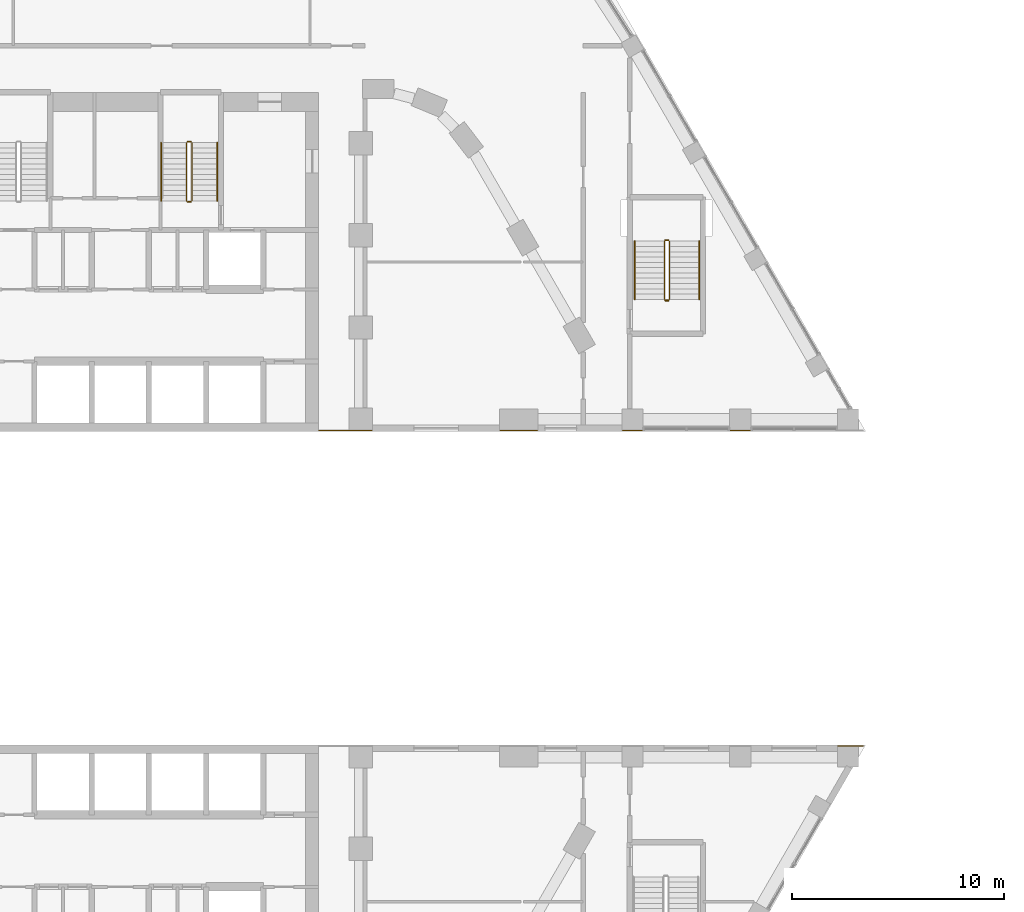
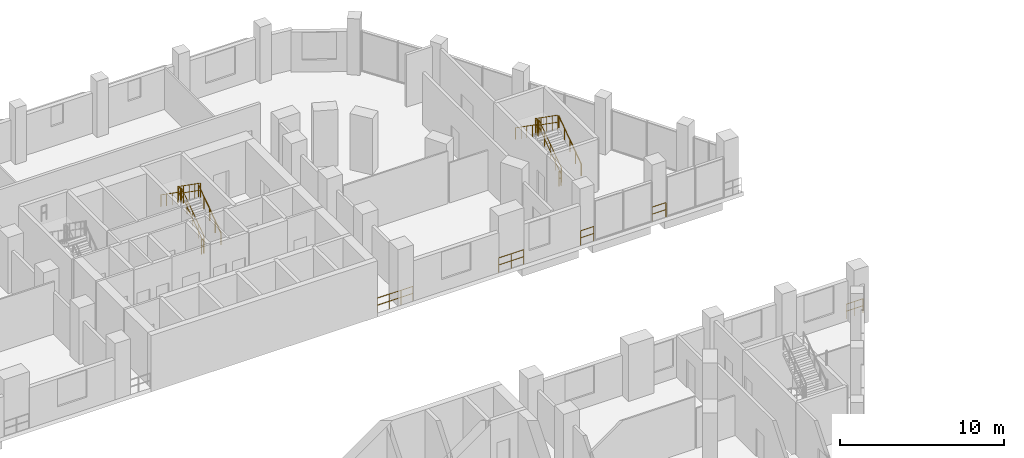
# One storey, part 39 of 45: 17 railings.
"""IFC4 building model written with IfcOpenShell, lengths in metres."""

from ifc_helpers import new_model, si_unit, direction, frame, origin, origin_2d, place, context, subcontext, project, spatial, circle, extrude, material, type_object, element, save


model = new_model("IFC4")

# Units and contexts
model_context = context("Model", 3, precision=1e-05, world=origin(), true_north=direction((0.0, 1.0)))
body_context = subcontext(model_context, "Body", "Model", "MODEL_VIEW")
ifc_project = project(units=[si_unit("LENGTHUNIT", "METRE"), si_unit("AREAUNIT", "SQUARE_METRE"), si_unit("VOLUMEUNIT", "CUBIC_METRE"), si_unit("PLANEANGLEUNIT", "RADIAN"), si_unit("MASSUNIT", "GRAM", prefix="KILO")], contexts=[model_context])

# Site, building, storey
site_placement = place(None, origin())
site = spatial("IfcSite", under=ifc_project, at=site_placement, CompositionType="ELEMENT")
building_placement = place(site_placement, origin())
building = spatial("IfcBuilding", under=site, at=building_placement, Name="Nakaniwa Court", CompositionType="ELEMENT")
storey_placement = place(building_placement, frame((0.0, 0.0, 11.39990234375)))
storey = spatial("IfcBuildingStorey", under=building, at=storey_placement, Name="L02", CompositionType="ELEMENT", Elevation=11.39990234375)

# Railings
ifc_material_1 = material(Name="Black powder coated steel guard", Category="steel")
railing_type_1 = type_object("IfcRailingType", Name="Stair guard 1100", PredefinedType="GUARDRAIL", material=ifc_material_1)
railing_1_placement = place(storey_placement, frame((82.02490234375, 98.27490234375, 0.175048828125)))
element("IfcRailing", 1, at=railing_1_placement, inside=storey, type_object=railing_type_1, Name="L02 ST2 stair guard 1", PredefinedType="GUARDRAIL", context=body_context, shape_type="SweptSolid", body=[
    extrude(circle(Radius=0.02392578125, at=origin_2d()), frame((0.0, 0.0, 1.076171875), z_axis=(0.0, 0.819225086817, 0.573472106672), x_axis=(-1.0, 0.0, 0.0)), (0.0, 0.0, 1.0), 3.35693359375),
    extrude(circle(Radius=0.02392578125, at=origin_2d()), frame((0.0, 0.0, 0.550048828125), z_axis=(0.0, 0.819225086817, 0.573472106672), x_axis=(-1.0, 0.0, 0.0)), (0.0, 0.0, 1.0), 3.35693359375),
    extrude(circle(Radius=0.02099609375, at=origin_2d()), origin(), (0.0, 0.0, 1.0), 1.052001953125),
    extrude(circle(Radius=0.02099609375, at=origin_2d()), frame((0.0, 0.6875, 0.481201171875)), (0.0, 0.0, 1.0), 1.052001953125),
    extrude(circle(Radius=0.02099609375, at=origin_2d()), frame((0.0, 1.375, 0.96240234375)), (0.0, 0.0, 1.0), 1.052001953125),
    extrude(circle(Radius=0.02099609375, at=origin_2d()), frame((0.0, 2.0625, 1.44384765625)), (0.0, 0.0, 1.0), 1.052001953125),
    extrude(circle(Radius=0.02099609375, at=origin_2d()), frame((0.0, 2.75, 1.925048828125)), (0.0, 0.0, 1.0), 1.052001953125),
])
railing_2_placement = place(storey_placement, frame((81.97509765625, 101.074951171875, 2.10009765625)))
element("IfcRailing", 2, at=railing_2_placement, inside=storey, type_object=railing_type_1, Name="L02 ST2 stair guard 2", PredefinedType="GUARDRAIL", context=body_context, shape_type="SweptSolid", body=[
    extrude(circle(Radius=0.02392578125, at=origin_2d()), frame((0.0, 0.0, 1.076171875), z_axis=(-1.0, 0.0, 0.0), x_axis=(0.0, -1.0, 0.0)), (0.0, 0.0, 1.0), 0.150146484375),
    extrude(circle(Radius=0.02392578125, at=origin_2d()), frame((0.0, 0.0, 0.550048828125), z_axis=(-1.0, 0.0, 0.0), x_axis=(0.0, -1.0, 0.0)), (0.0, 0.0, 1.0), 0.150146484375),
    extrude(circle(Radius=0.02099609375, at=origin_2d()), origin(), (0.0, 0.0, 1.0), 1.052001953125),
    extrude(circle(Radius=0.02099609375, at=origin_2d()), frame((-0.150146484375, 0.0, 0.0)), (0.0, 0.0, 1.0), 1.052001953125),
])
railing_3_placement = place(storey_placement, frame((81.77490234375, 101.02490234375, 2.275146484375)))
element("IfcRailing", 3, at=railing_3_placement, inside=storey, type_object=railing_type_1, Name="L02 ST2 stair guard 3", PredefinedType="GUARDRAIL", context=body_context, shape_type="SweptSolid", body=[
    extrude(circle(Radius=0.02392578125, at=origin_2d()), frame((0.0, 0.0, 1.076171875), z_axis=(0.0, -0.819225086817, 0.573472106672), x_axis=(1.0, 0.0, 0.0)), (0.0, 0.0, 1.0), 3.35693359375),
    extrude(circle(Radius=0.02392578125, at=origin_2d()), frame((0.0, 0.0, 0.550048828125), z_axis=(0.0, -0.819225086817, 0.573472106672), x_axis=(1.0, 0.0, 0.0)), (0.0, 0.0, 1.0), 3.35693359375),
    extrude(circle(Radius=0.02099609375, at=origin_2d()), origin(), (0.0, 0.0, 1.0), 1.052001953125),
    extrude(circle(Radius=0.02099609375, at=origin_2d()), frame((0.0, -0.6875, 0.481201171875)), (0.0, 0.0, 1.0), 1.052001953125),
    extrude(circle(Radius=0.02099609375, at=origin_2d()), frame((0.0, -1.375, 0.96240234375)), (0.0, 0.0, 1.0), 1.052001953125),
    extrude(circle(Radius=0.02099609375, at=origin_2d()), frame((0.0, -2.0625, 1.44384765625)), (0.0, 0.0, 1.0), 1.052001953125),
    extrude(circle(Radius=0.02099609375, at=origin_2d()), frame((0.0, -2.75, 1.925048828125)), (0.0, 0.0, 1.0), 1.052001953125),
])
railing_4_placement = place(storey_placement, frame((81.97509765625, 98.22509765625, 0.0)))
element("IfcRailing", 4, at=railing_4_placement, inside=storey, type_object=railing_type_1, Name="L02 ST2 stair guard 4", PredefinedType="GUARDRAIL", context=body_context, shape_type="SweptSolid", body=[
    extrude(circle(Radius=0.02392578125, at=origin_2d()), frame((0.0, 0.0, 1.076171875), z_axis=(-1.0, 0.0, 0.0), x_axis=(0.0, -1.0, 0.0)), (0.0, 0.0, 1.0), 0.150146484375),
    extrude(circle(Radius=0.02392578125, at=origin_2d()), frame((0.0, 0.0, 0.550048828125), z_axis=(-1.0, 0.0, 0.0), x_axis=(0.0, -1.0, 0.0)), (0.0, 0.0, 1.0), 0.150146484375),
    extrude(circle(Radius=0.02099609375, at=origin_2d()), origin(), (0.0, 0.0, 1.0), 1.052001953125),
    extrude(circle(Radius=0.02099609375, at=origin_2d()), frame((-0.150146484375, 0.0, 0.0)), (0.0, 0.0, 1.0), 1.052001953125),
])
railing_5_placement = place(storey_placement, frame((104.574951171875, 93.625, 0.175048828125)))
element("IfcRailing", 5, at=railing_5_placement, inside=storey, type_object=railing_type_1, Name="L02 SS1 stair guard 1", PredefinedType="GUARDRAIL", context=body_context, shape_type="SweptSolid", body=[
    extrude(circle(Radius=0.02392578125, at=origin_2d()), frame((0.0, 0.0, 1.076171875), z_axis=(0.0, 0.819225086817, 0.573472106672), x_axis=(-1.0, 0.0, 0.0)), (0.0, 0.0, 1.0), 3.35693359375),
    extrude(circle(Radius=0.02392578125, at=origin_2d()), frame((0.0, 0.0, 0.550048828125), z_axis=(0.0, 0.819225086817, 0.573472106672), x_axis=(-1.0, 0.0, 0.0)), (0.0, 0.0, 1.0), 3.35693359375),
    extrude(circle(Radius=0.02099609375, at=origin_2d()), origin(), (0.0, 0.0, 1.0), 1.052001953125),
    extrude(circle(Radius=0.02099609375, at=origin_2d()), frame((0.0, 0.6875, 0.481201171875)), (0.0, 0.0, 1.0), 1.052001953125),
    extrude(circle(Radius=0.02099609375, at=origin_2d()), frame((0.0, 1.375, 0.96240234375)), (0.0, 0.0, 1.0), 1.052001953125),
    extrude(circle(Radius=0.02099609375, at=origin_2d()), frame((0.0, 2.0625, 1.44384765625)), (0.0, 0.0, 1.0), 1.052001953125),
    extrude(circle(Radius=0.02099609375, at=origin_2d()), frame((0.0, 2.75, 1.925048828125)), (0.0, 0.0, 1.0), 1.052001953125),
])
railing_6_placement = place(storey_placement, frame((104.52490234375, 96.425048828125, 2.10009765625)))
element("IfcRailing", 6, at=railing_6_placement, inside=storey, type_object=railing_type_1, Name="L02 SS1 stair guard 2", PredefinedType="GUARDRAIL", context=body_context, shape_type="SweptSolid", body=[
    extrude(circle(Radius=0.02392578125, at=origin_2d()), frame((0.0, 0.0, 1.076171875), z_axis=(-1.0, 0.0, 0.0), x_axis=(0.0, -1.0, 0.0)), (0.0, 0.0, 1.0), 0.14990234375),
    extrude(circle(Radius=0.02392578125, at=origin_2d()), frame((0.0, 0.0, 0.550048828125), z_axis=(-1.0, 0.0, 0.0), x_axis=(0.0, -1.0, 0.0)), (0.0, 0.0, 1.0), 0.14990234375),
    extrude(circle(Radius=0.02099609375, at=origin_2d()), origin(), (0.0, 0.0, 1.0), 1.052001953125),
    extrude(circle(Radius=0.02099609375, at=origin_2d()), frame((-0.14990234375, 0.0, 0.0)), (0.0, 0.0, 1.0), 1.052001953125),
])
railing_7_placement = place(storey_placement, frame((104.324951171875, 96.375, 2.275146484375)))
element("IfcRailing", 7, at=railing_7_placement, inside=storey, type_object=railing_type_1, Name="L02 SS1 stair guard 3", PredefinedType="GUARDRAIL", context=body_context, shape_type="SweptSolid", body=[
    extrude(circle(Radius=0.02392578125, at=origin_2d()), frame((0.0, 0.0, 1.076171875), z_axis=(0.0, -0.819225086817, 0.573472106672), x_axis=(1.0, 0.0, 0.0)), (0.0, 0.0, 1.0), 3.35693359375),
    extrude(circle(Radius=0.02392578125, at=origin_2d()), frame((0.0, 0.0, 0.550048828125), z_axis=(0.0, -0.819225086817, 0.573472106672), x_axis=(1.0, 0.0, 0.0)), (0.0, 0.0, 1.0), 3.35693359375),
    extrude(circle(Radius=0.02099609375, at=origin_2d()), origin(), (0.0, 0.0, 1.0), 1.052001953125),
    extrude(circle(Radius=0.02099609375, at=origin_2d()), frame((0.0, -0.6875, 0.481201171875)), (0.0, 0.0, 1.0), 1.052001953125),
    extrude(circle(Radius=0.02099609375, at=origin_2d()), frame((0.0, -1.375, 0.96240234375)), (0.0, 0.0, 1.0), 1.052001953125),
    extrude(circle(Radius=0.02099609375, at=origin_2d()), frame((0.0, -2.0625, 1.44384765625)), (0.0, 0.0, 1.0), 1.052001953125),
    extrude(circle(Radius=0.02099609375, at=origin_2d()), frame((0.0, -2.75, 1.925048828125)), (0.0, 0.0, 1.0), 1.052001953125),
])
railing_8_placement = place(storey_placement, frame((104.52490234375, 93.574951171875, 0.0)))
element("IfcRailing", 8, at=railing_8_placement, inside=storey, type_object=railing_type_1, Name="L02 SS1 stair guard 4", PredefinedType="GUARDRAIL", context=body_context, shape_type="SweptSolid", body=[
    extrude(circle(Radius=0.02392578125, at=origin_2d()), frame((0.0, 0.0, 1.076171875), z_axis=(-1.0, 0.0, 0.0), x_axis=(0.0, -1.0, 0.0)), (0.0, 0.0, 1.0), 0.14990234375),
    extrude(circle(Radius=0.02392578125, at=origin_2d()), frame((0.0, 0.0, 0.550048828125), z_axis=(-1.0, 0.0, 0.0), x_axis=(0.0, -1.0, 0.0)), (0.0, 0.0, 1.0), 0.14990234375),
    extrude(circle(Radius=0.02099609375, at=origin_2d()), origin(), (0.0, 0.0, 1.0), 1.052001953125),
    extrude(circle(Radius=0.02099609375, at=origin_2d()), frame((-0.14990234375, 0.0, 0.0)), (0.0, 0.0, 1.0), 1.052001953125),
])
railing_9_placement = place(storey_placement, frame((112.513916015625, 72.550048828125, 0.0)))
element("IfcRailing", 9, at=railing_9_placement, inside=storey, type_object=railing_type_1, Name="GUARD GD-L02-030", PredefinedType="GUARDRAIL", context=body_context, shape_type="SweptSolid", body=[
    extrude(circle(Radius=0.02392578125, at=origin_2d()), frame((0.0, 0.0, 1.076171875), z_axis=(1.0, 0.0, 0.0), x_axis=(0.0, 1.0, 0.0)), (0.0, 0.0, 1.0), 1.18896484375),
    extrude(circle(Radius=0.02392578125, at=origin_2d()), frame((0.0, 0.0, 0.550048828125), z_axis=(1.0, 0.0, 0.0), x_axis=(0.0, 1.0, 0.0)), (0.0, 0.0, 1.0), 1.18896484375),
    extrude(circle(Radius=0.02099609375, at=origin_2d()), origin(), (0.0, 0.0, 1.0), 1.052001953125),
    extrude(circle(Radius=0.02099609375, at=origin_2d()), frame((0.594482421875, 0.0, 0.0)), (0.0, 0.0, 1.0), 1.052001953125),
    extrude(circle(Radius=0.02099609375, at=origin_2d()), frame((1.18896484375, 0.0, 0.0)), (0.0, 0.0, 1.0), 1.052001953125),
])
railing_10_placement = place(storey_placement, frame((108.389892578125, 87.449951171875, 0.0)))
element("IfcRailing", 10, at=railing_10_placement, inside=storey, type_object=railing_type_1, Name="GUARD GD-L02-032", PredefinedType="GUARDRAIL", context=body_context, shape_type="SweptSolid", body=[
    extrude(circle(Radius=0.02392578125, at=origin_2d()), frame((0.0, 0.0, 1.076171875), z_axis=(-1.0, 0.0, 0.0), x_axis=(0.0, -1.0, 0.0)), (0.0, 0.0, 1.0), 0.95947265625),
    extrude(circle(Radius=0.02392578125, at=origin_2d()), frame((0.0, 0.0, 0.550048828125), z_axis=(-1.0, 0.0, 0.0), x_axis=(0.0, -1.0, 0.0)), (0.0, 0.0, 1.0), 0.95947265625),
    extrude(circle(Radius=0.02099609375, at=origin_2d()), origin(), (0.0, 0.0, 1.0), 1.052001953125),
    extrude(circle(Radius=0.02099609375, at=origin_2d()), frame((-0.95947265625, 0.0, 0.0)), (0.0, 0.0, 1.0), 1.052001953125),
])
railing_11_placement = place(storey_placement, frame((103.296142578125, 87.449951171875, 0.0)))
element("IfcRailing", 11, at=railing_11_placement, inside=storey, type_object=railing_type_1, Name="GUARD GD-L02-033", PredefinedType="GUARDRAIL", context=body_context, shape_type="SweptSolid", body=[
    extrude(circle(Radius=0.02392578125, at=origin_2d()), frame((0.0, 0.0, 1.076171875), z_axis=(-1.0, 0.0, 0.0), x_axis=(0.0, -1.0, 0.0)), (0.0, 0.0, 1.0), 0.939453125),
    extrude(circle(Radius=0.02392578125, at=origin_2d()), frame((0.0, 0.0, 0.550048828125), z_axis=(-1.0, 0.0, 0.0), x_axis=(0.0, -1.0, 0.0)), (0.0, 0.0, 1.0), 0.939453125),
    extrude(circle(Radius=0.02099609375, at=origin_2d()), origin(), (0.0, 0.0, 1.0), 1.052001953125),
    extrude(circle(Radius=0.02099609375, at=origin_2d()), frame((-0.939453125, 0.0, 0.0)), (0.0, 0.0, 1.0), 1.052001953125),
])
railing_12_placement = place(storey_placement, frame((98.34228515625, 87.449951171875, 0.0)))
element("IfcRailing", 12, at=railing_12_placement, inside=storey, type_object=railing_type_1, Name="GUARD GD-L02-034", PredefinedType="GUARDRAIL", context=body_context, shape_type="SweptSolid", body=[
    extrude(circle(Radius=0.02392578125, at=origin_2d()), frame((0.0, 0.0, 1.076171875), z_axis=(-1.0, 0.0, 0.0), x_axis=(0.0, -1.0, 0.0)), (0.0, 0.0, 1.0), 1.768310546875),
    extrude(circle(Radius=0.02392578125, at=origin_2d()), frame((0.0, 0.0, 0.550048828125), z_axis=(-1.0, 0.0, 0.0), x_axis=(0.0, -1.0, 0.0)), (0.0, 0.0, 1.0), 1.768310546875),
    extrude(circle(Radius=0.02099609375, at=origin_2d()), origin(), (0.0, 0.0, 1.0), 1.052001953125),
    extrude(circle(Radius=0.02099609375, at=origin_2d()), frame((-0.88427734375, 0.0, 0.0)), (0.0, 0.0, 1.0), 1.052001953125),
    extrude(circle(Radius=0.02099609375, at=origin_2d()), frame((-1.768310546875, 0.0, 0.0)), (0.0, 0.0, 1.0), 1.052001953125),
])
railing_13_placement = place(storey_placement, frame((90.52197265625, 87.449951171875, 0.0)))
element("IfcRailing", 13, at=railing_13_placement, inside=storey, type_object=railing_type_1, Name="GUARD GD-L02-035", PredefinedType="GUARDRAIL", context=body_context, shape_type="SweptSolid", body=[
    extrude(circle(Radius=0.02392578125, at=origin_2d()), frame((0.0, 0.0, 1.076171875), z_axis=(-1.0, 0.0, 0.0), x_axis=(0.0, -1.0, 0.0)), (0.0, 0.0, 1.0), 2.507080078125),
    extrude(circle(Radius=0.02392578125, at=origin_2d()), frame((0.0, 0.0, 0.550048828125), z_axis=(-1.0, 0.0, 0.0), x_axis=(0.0, -1.0, 0.0)), (0.0, 0.0, 1.0), 2.507080078125),
    extrude(circle(Radius=0.02099609375, at=origin_2d()), origin(), (0.0, 0.0, 1.0), 1.052001953125),
    extrude(circle(Radius=0.02099609375, at=origin_2d()), frame((-0.835693359375, 0.0, 0.0)), (0.0, 0.0, 1.0), 1.052001953125),
    extrude(circle(Radius=0.02099609375, at=origin_2d()), frame((-1.67138671875, 0.0, 0.0)), (0.0, 0.0, 1.0), 1.052001953125),
    extrude(circle(Radius=0.02099609375, at=origin_2d()), frame((-2.507080078125, 0.0, 0.0)), (0.0, 0.0, 1.0), 1.052001953125),
])
ifc_material_2 = material(Name="Black powder coated steel handrail", Category="steel")
railing_type_2 = type_object("IfcRailingType", Name="Stair handrail 900", PredefinedType="HANDRAIL", material=ifc_material_2)
railing_14_placement = place(storey_placement, frame((83.22509765625, 98.27490234375, 0.175048828125)))
element("IfcRailing", 14, at=railing_14_placement, inside=storey, type_object=railing_type_2, Name="L02 ST2 stair handrail 1", PredefinedType="HANDRAIL", context=body_context, shape_type="SweptSolid", body=[
    extrude(circle(Radius=0.02392578125, at=origin_2d()), frame((0.0, 0.0, 0.8759765625), z_axis=(0.0, 0.819225086817, 0.573472106672), x_axis=(-1.0, 0.0, 0.0)), (0.0, 0.0, 1.0), 3.35693359375),
    extrude(circle(Radius=0.02099609375, at=origin_2d()), origin(), (0.0, 0.0, 1.0), 0.851806640625),
    extrude(circle(Radius=0.02099609375, at=origin_2d()), frame((0.0, 0.6875, 0.481201171875)), (0.0, 0.0, 1.0), 0.851806640625),
    extrude(circle(Radius=0.02099609375, at=origin_2d()), frame((0.0, 1.375, 0.96240234375)), (0.0, 0.0, 1.0), 0.851806640625),
    extrude(circle(Radius=0.02099609375, at=origin_2d()), frame((0.0, 2.0625, 1.44384765625)), (0.0, 0.0, 1.0), 0.851806640625),
    extrude(circle(Radius=0.02099609375, at=origin_2d()), frame((0.0, 2.75, 1.925048828125)), (0.0, 0.0, 1.0), 0.851806640625),
])
railing_15_placement = place(storey_placement, frame((80.574951171875, 101.02490234375, 2.275146484375)))
element("IfcRailing", 15, at=railing_15_placement, inside=storey, type_object=railing_type_2, Name="L02 ST2 stair handrail 2", PredefinedType="HANDRAIL", context=body_context, shape_type="SweptSolid", body=[
    extrude(circle(Radius=0.02392578125, at=origin_2d()), frame((0.0, 0.0, 0.8759765625), z_axis=(0.0, -0.819225086817, 0.573472106672), x_axis=(1.0, 0.0, 0.0)), (0.0, 0.0, 1.0), 3.35693359375),
    extrude(circle(Radius=0.02099609375, at=origin_2d()), origin(), (0.0, 0.0, 1.0), 0.851806640625),
    extrude(circle(Radius=0.02099609375, at=origin_2d()), frame((0.0, -0.6875, 0.481201171875)), (0.0, 0.0, 1.0), 0.851806640625),
    extrude(circle(Radius=0.02099609375, at=origin_2d()), frame((0.0, -1.375, 0.96240234375)), (0.0, 0.0, 1.0), 0.851806640625),
    extrude(circle(Radius=0.02099609375, at=origin_2d()), frame((0.0, -2.0625, 1.44384765625)), (0.0, 0.0, 1.0), 0.851806640625),
    extrude(circle(Radius=0.02099609375, at=origin_2d()), frame((0.0, -2.75, 1.925048828125)), (0.0, 0.0, 1.0), 0.851806640625),
])
railing_16_placement = place(storey_placement, frame((105.97509765625, 93.625, 0.175048828125)))
element("IfcRailing", 16, at=railing_16_placement, inside=storey, type_object=railing_type_2, Name="L02 SS1 stair handrail 1", PredefinedType="HANDRAIL", context=body_context, shape_type="SweptSolid", body=[
    extrude(circle(Radius=0.02392578125, at=origin_2d()), frame((0.0, 0.0, 0.8759765625), z_axis=(0.0, 0.819225086817, 0.573472106672), x_axis=(-1.0, 0.0, 0.0)), (0.0, 0.0, 1.0), 3.35693359375),
    extrude(circle(Radius=0.02099609375, at=origin_2d()), origin(), (0.0, 0.0, 1.0), 0.851806640625),
    extrude(circle(Radius=0.02099609375, at=origin_2d()), frame((0.0, 0.6875, 0.481201171875)), (0.0, 0.0, 1.0), 0.851806640625),
    extrude(circle(Radius=0.02099609375, at=origin_2d()), frame((0.0, 1.375, 0.96240234375)), (0.0, 0.0, 1.0), 0.851806640625),
    extrude(circle(Radius=0.02099609375, at=origin_2d()), frame((0.0, 2.0625, 1.44384765625)), (0.0, 0.0, 1.0), 0.851806640625),
    extrude(circle(Radius=0.02099609375, at=origin_2d()), frame((0.0, 2.75, 1.925048828125)), (0.0, 0.0, 1.0), 0.851806640625),
])
railing_17_placement = place(storey_placement, frame((102.925048828125, 96.375, 2.275146484375)))
element("IfcRailing", 17, at=railing_17_placement, inside=storey, type_object=railing_type_2, Name="L02 SS1 stair handrail 2", PredefinedType="HANDRAIL", context=body_context, shape_type="SweptSolid", body=[
    extrude(circle(Radius=0.02392578125, at=origin_2d()), frame((0.0, 0.0, 0.8759765625), z_axis=(0.0, -0.819225086817, 0.573472106672), x_axis=(1.0, 0.0, 0.0)), (0.0, 0.0, 1.0), 3.35693359375),
    extrude(circle(Radius=0.02099609375, at=origin_2d()), origin(), (0.0, 0.0, 1.0), 0.851806640625),
    extrude(circle(Radius=0.02099609375, at=origin_2d()), frame((0.0, -0.6875, 0.481201171875)), (0.0, 0.0, 1.0), 0.851806640625),
    extrude(circle(Radius=0.02099609375, at=origin_2d()), frame((0.0, -1.375, 0.96240234375)), (0.0, 0.0, 1.0), 0.851806640625),
    extrude(circle(Radius=0.02099609375, at=origin_2d()), frame((0.0, -2.0625, 1.44384765625)), (0.0, 0.0, 1.0), 0.851806640625),
    extrude(circle(Radius=0.02099609375, at=origin_2d()), frame((0.0, -2.75, 1.925048828125)), (0.0, 0.0, 1.0), 0.851806640625),
])

save(model, "model.ifc")
